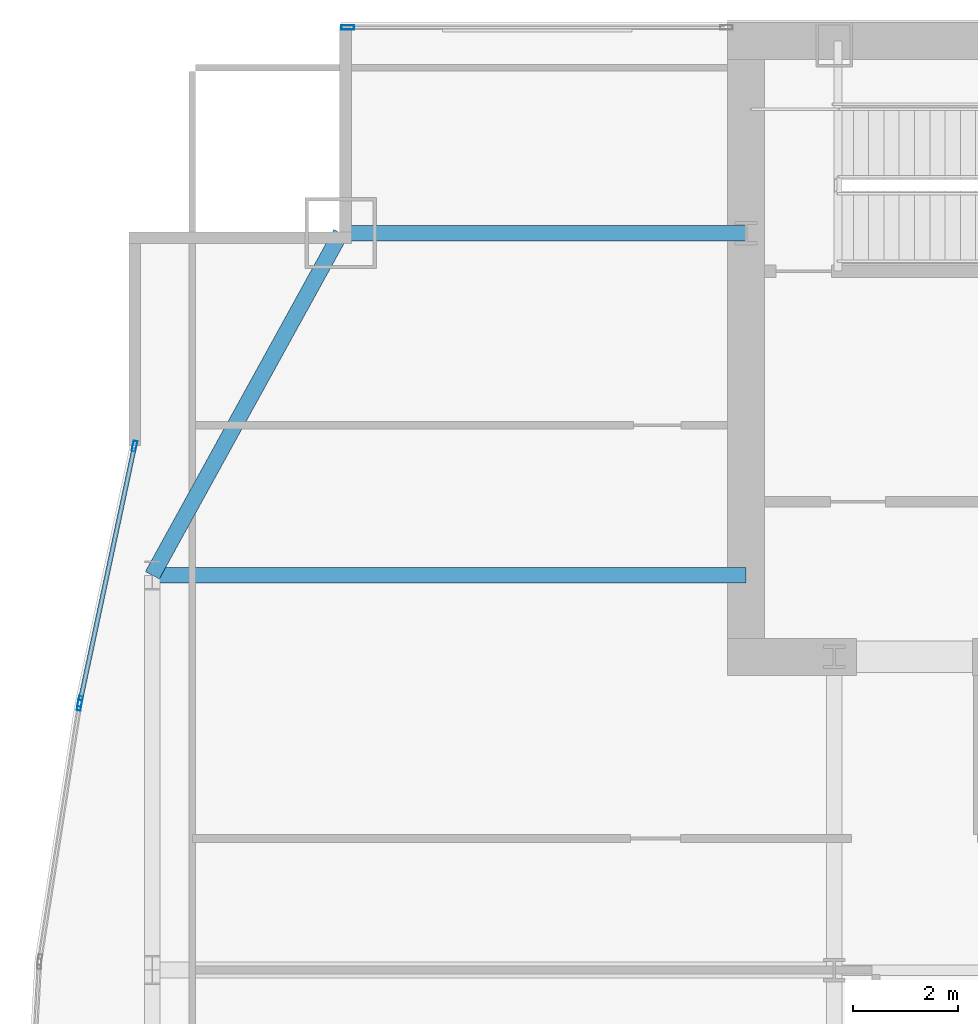
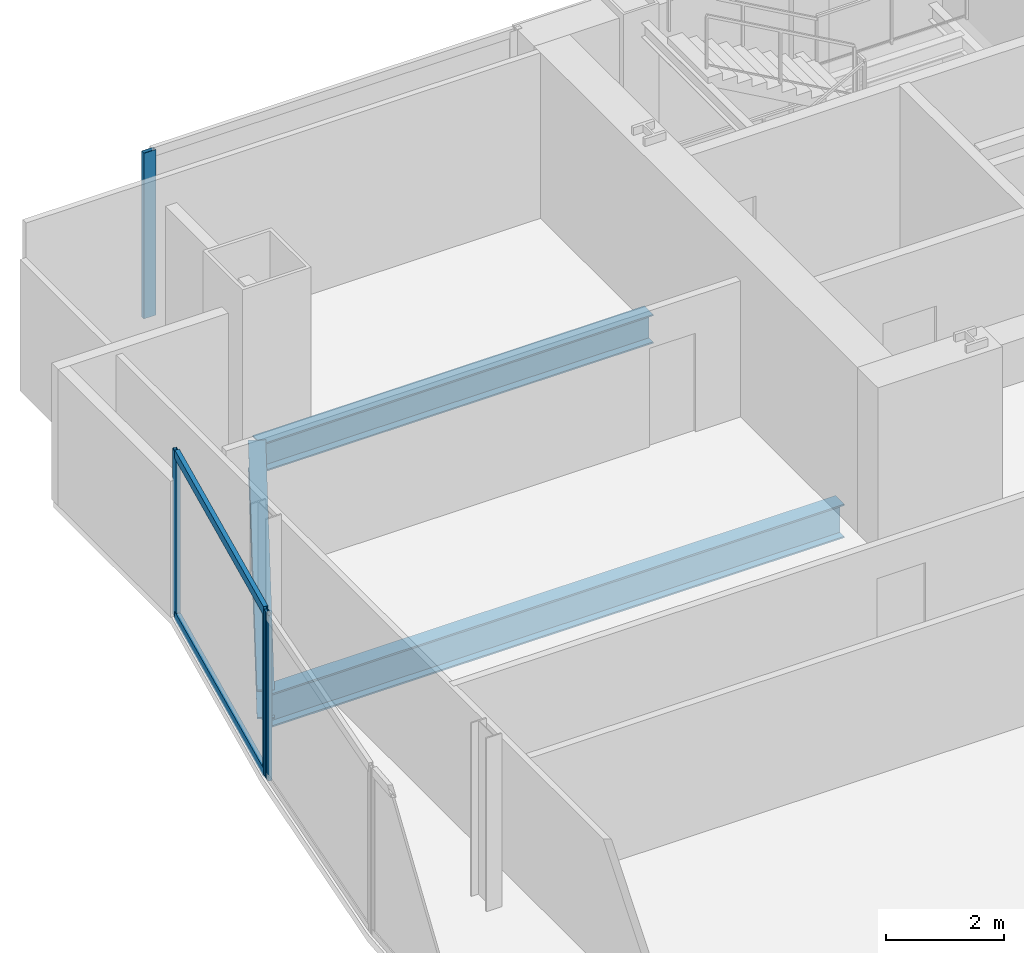
# One storey, part 17 of 29: 6 members, 3 beams, 3 elements without a shape of their own.
"""IFC4 building model written with IfcOpenShell, lengths in metres."""

from ifc_helpers import new_model, si_unit, direction, frame, origin, origin_2d, place, context, subcontext, project, spatial, hollow_rectangle, i_section, extrude, material, material_profile, profile_set, type_object, element, aggregate, save


model = new_model("IFC4")

# Units and contexts
model_context = context("Model", 3, precision=1e-05, world=origin(), true_north=direction((0.0, 1.0)))
body_context = subcontext(model_context, "Body", "Model", "MODEL_VIEW")
ifc_project = project(units=[si_unit("LENGTHUNIT", "METRE"), si_unit("AREAUNIT", "SQUARE_METRE"), si_unit("VOLUMEUNIT", "CUBIC_METRE"), si_unit("PLANEANGLEUNIT", "RADIAN"), si_unit("MASSUNIT", "GRAM", prefix="KILO")], contexts=[model_context])

# Site, building, storey
site_placement = place(None, origin())
site = spatial("IfcSite", under=ifc_project, at=site_placement, CompositionType="ELEMENT")
building_placement = place(site_placement, origin())
building = spatial("IfcBuilding", under=site, at=building_placement, Name="Khoronbel Lancet Exchange", CompositionType="ELEMENT")
storey_placement = place(building_placement, frame((0.0, 0.0, 165.0)))
storey = spatial("IfcBuildingStorey", under=building, at=storey_placement, Name="L41", CompositionType="ELEMENT", Elevation=165.0)

# Beams
ifc_material_1 = material(Name="Steel S355", Category="steel")
ifc_material_profile_1 = material_profile(ifc_material_1, i_section(OverallWidth=0.300048828125, OverallDepth=0.699951171875, WebThickness=0.01708984375, FlangeThickness=0.031982421875, at=origin_2d()), Name="HEB 700")
ifc_profile_set_1 = profile_set([ifc_material_profile_1], Name="Steel S355")
beam_type_1 = type_object("IfcBeamType", Name="BM-BG3", PredefinedType="BEAM", material=ifc_profile_set_1)
beam_1_placement = place(storey_placement, frame((5.27001953125, 43.199951171875, -0.510009765625), z_axis=(1.0, 0.0, 0.0), x_axis=(0.0, 1.0, 0.0)))
element("IfcBeam", 1, at=beam_1_placement, inside=storey, type_object=beam_type_1, Name="Level L41 west lens tie girder LG3W", PredefinedType="BEAM", context=body_context, shape_type="SweptSolid", body=[
    extrude(i_section(OverallWidth=0.300048828125, OverallDepth=0.699951171875, WebThickness=0.01708984375, FlangeThickness=0.031982421875, at=origin_2d()), origin(), (0.0, 0.0, 1.0), 11.280029296875),
])
ifc_material_profile_2 = material_profile(ifc_material_1, i_section(OverallWidth=0.300048828125, OverallDepth=0.60009765625, WebThickness=0.015380859375, FlangeThickness=0.030029296875, at=origin_2d()), Name="HEB 600")
ifc_profile_set_2 = profile_set([ifc_material_profile_2], Name="Steel S355")
beam_type_2 = type_object("IfcBeamType", Name="BM-BSP2", PredefinedType="SPANDREL", material=ifc_profile_set_2)
beam_2_placement = place(storey_placement, frame((8.85009765625, 49.699951171875, -0.4599609375), z_axis=(-0.482444051088, -0.875926787791, 0.0), x_axis=(0.875926787791, -0.482444051088, 0.0)))
element("IfcBeam", 2, at=beam_2_placement, inside=storey, type_object=beam_type_2, Name="Level L41 perimeter spandrel beam SP16", PredefinedType="SPANDREL", context=body_context, shape_type="SweptSolid", body=[
    extrude(i_section(OverallWidth=0.300048828125, OverallDepth=0.60009765625, WebThickness=0.015380859375, FlangeThickness=0.030029296875, at=origin_2d()), origin(), (0.0, 0.0, 1.0), 7.420654296875),
])
beam_3_placement = place(storey_placement, frame((8.85009765625, 49.699951171875, -0.4599609375), z_axis=(1.0, 0.0, 0.0), x_axis=(0.0, 1.0, 0.0)))
element("IfcBeam", 3, at=beam_3_placement, inside=storey, type_object=beam_type_2, Name="Level L41 north flank tie spandrel SP22", PredefinedType="SPANDREL", context=body_context, shape_type="SweptSolid", body=[
    extrude(i_section(OverallWidth=0.300048828125, OverallDepth=0.60009765625, WebThickness=0.015380859375, FlangeThickness=0.030029296875, at=origin_2d()), origin(), (0.0, 0.0, 1.0), 7.699951171875),
])

# Curtain wall, member
ifc_material_2 = material(Name="Low-E Solar Control Insulating Glass", Category="glass")
curtain_wall_type_1 = type_object("IfcCurtainWallType", Name="CW-3", PredefinedType="NOTDEFINED", material=ifc_material_2)
curtain_wall_1_placement = place(storey_placement, origin())
curtain_wall_1 = element("IfcCurtainWall", 4, at=curtain_wall_1_placement, inside=storey, type_object=curtain_wall_type_1, Name="Unitised curtain wall CW-L41-NWFLK", PredefinedType="NOTDEFINED")
ifc_material_3 = material(Name="Bronze-Anodised Aluminium 6063-T6", Category="aluminium")
ifc_material_profile_3 = material_profile(ifc_material_3, hollow_rectangle(XDim=0.0849609375, YDim=0.239990234375, WallThickness=0.006103515625, at=origin_2d()), Name="ALU MULLION 85x240")
ifc_profile_set_3 = profile_set([ifc_material_profile_3], Name="Bronze-Anodised Aluminium 6063-T6")
member_type_1 = type_object("IfcMemberType", Name="MEM-CWM1", PredefinedType="MULLION", material=ifc_profile_set_3)
member_1_placement = place(storey_placement, frame((8.982421875, 53.610107421875, 0.0), z_axis=(0.0, 0.0, 1.0), x_axis=(0.0, -1.0, 0.0)))
member_1 = element("IfcMember", 5, at=member_1_placement, type_object=member_type_1, Name="CW3 mullion 2", PredefinedType="MULLION", context=body_context, shape_type="SweptSolid", body=[
    extrude(hollow_rectangle(XDim=0.0849609375, YDim=0.239990234375, WallThickness=0.006103515625, at=origin_2d()), origin(), (0.0, 0.0, 1.0), 3.43994140625),
])
aggregate(curtain_wall_1, [member_1])

curtain_wall_type_2 = type_object("IfcCurtainWallType", Name="CW-4", PredefinedType="NOTDEFINED", material=ifc_material_2)
curtain_wall_2_placement = place(storey_placement, origin())
curtain_wall_2 = element("IfcCurtainWall", 6, at=curtain_wall_2_placement, inside=storey, type_object=curtain_wall_type_2, Name="Unitised curtain wall CW-L41-E08", PredefinedType="NOTDEFINED")
ifc_material_profile_4 = material_profile(ifc_material_3, hollow_rectangle(XDim=0.074951171875, YDim=0.199951171875, WallThickness=0.0048828125, at=origin_2d()), Name="ALU MULLION 75x200")
ifc_profile_set_4 = profile_set([ifc_material_profile_4], Name="Bronze-Anodised Aluminium 6063-T6")
member_type_2 = type_object("IfcMemberType", Name="MEM-CWM2", PredefinedType="MULLION", material=ifc_profile_set_4)
member_2_placement = place(storey_placement, frame((3.885986328125, 40.72998046875, 0.0), z_axis=(0.0, 0.0, 1.0), x_axis=(-0.988068944091, 0.154012212903, 0.0)))
member_2 = element("IfcMember", 7, at=member_2_placement, type_object=member_type_2, Name="CW4 mullion 2", PredefinedType="MULLION", context=body_context, shape_type="SweptSolid", body=[
    extrude(hollow_rectangle(XDim=0.074951171875, YDim=0.199951171875, WallThickness=0.0048828125, at=origin_2d()), origin(), (0.0, 0.0, 1.0), 3.43994140625),
])
aggregate(curtain_wall_2, [member_2])

# Curtain wall, members
curtain_wall_3_placement = place(storey_placement, origin())
curtain_wall_3 = element("IfcCurtainWall", 8, at=curtain_wall_3_placement, inside=storey, type_object=curtain_wall_type_2, Name="Unitised curtain wall CW-L41-E09", PredefinedType="NOTDEFINED")
member_3_placement = place(storey_placement, frame((3.8994140625, 40.8037109375, 0.0), z_axis=(0.0, 0.0, 1.0), x_axis=(-0.978075720441, 0.208249574031, 0.0)))
member_3 = element("IfcMember", 9, at=member_3_placement, type_object=member_type_2, Name="CW4 mullion 1", PredefinedType="MULLION", context=body_context, shape_type="SweptSolid", body=[
    extrude(hollow_rectangle(XDim=0.074951171875, YDim=0.199951171875, WallThickness=0.0048828125, at=origin_2d()), origin(), (0.0, 0.0, 1.0), 3.43994140625),
])
member_4_placement = place(storey_placement, frame((4.93212890625, 45.65380859375, 0.0), z_axis=(0.0, 0.0, 1.0), x_axis=(-0.978075720441, 0.208249574031, 0.0)))
member_4 = element("IfcMember", 10, at=member_4_placement, type_object=member_type_2, Name="CW4 mullion 2", PredefinedType="MULLION", context=body_context, shape_type="SweptSolid", body=[
    extrude(hollow_rectangle(XDim=0.074951171875, YDim=0.199951171875, WallThickness=0.0048828125, at=origin_2d()), origin(), (0.0, 0.0, 1.0), 3.43994140625),
])
ifc_material_profile_5 = material_profile(ifc_material_3, hollow_rectangle(XDim=0.0849609375, YDim=0.179931640625, WallThickness=0.0048828125, at=origin_2d()), Name="ALU TRANSOM 85x180")
ifc_profile_set_5 = profile_set([ifc_material_profile_5], Name="Bronze-Anodised Aluminium 6063-T6")
member_type_3 = type_object("IfcMemberType", Name="MEM-CWT1", PredefinedType="USERDEFINED", material=ifc_profile_set_5)
member_5_placement = place(storey_placement, frame((3.9072265625, 40.84033203125, 0.04248046875), z_axis=(0.208252130419, 0.978075176137, 0.0), x_axis=(-0.978075176137, 0.208252130419, 0.0)))
member_5 = element("IfcMember", 11, at=member_5_placement, type_object=member_type_3, Name="CW4 transom 1.1", ObjectType="TRANSOM", PredefinedType="USERDEFINED", context=body_context, shape_type="SweptSolid", body=[
    extrude(hollow_rectangle(XDim=0.0849609375, YDim=0.179931640625, WallThickness=0.0048828125, at=origin_2d()), origin(), (0.0, 0.0, 1.0), 4.884033203125),
])
member_6_placement = place(storey_placement, frame((3.9072265625, 40.84033203125, 3.3974609375), z_axis=(0.208252130419, 0.978075176137, 0.0), x_axis=(-0.978075176137, 0.208252130419, 0.0)))
member_6 = element("IfcMember", 12, at=member_6_placement, type_object=member_type_3, Name="CW4 transom 1.2", ObjectType="TRANSOM", PredefinedType="USERDEFINED", context=body_context, shape_type="SweptSolid", body=[
    extrude(hollow_rectangle(XDim=0.0849609375, YDim=0.179931640625, WallThickness=0.0048828125, at=origin_2d()), origin(), (0.0, 0.0, 1.0), 4.884033203125),
])
aggregate(curtain_wall_3, [member_3, member_4, member_5, member_6])

save(model, "model.ifc")
